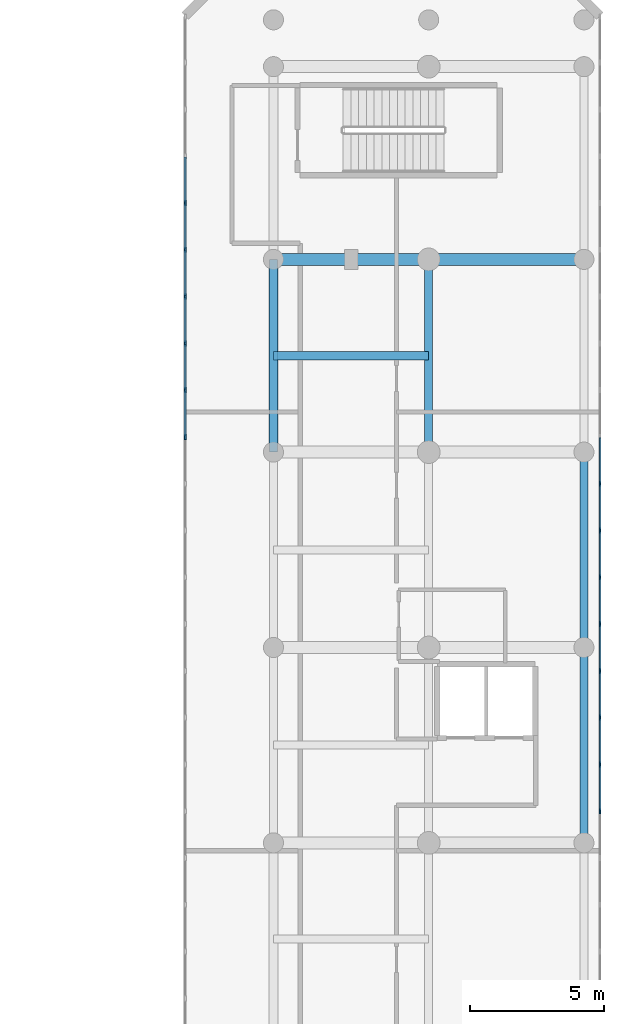
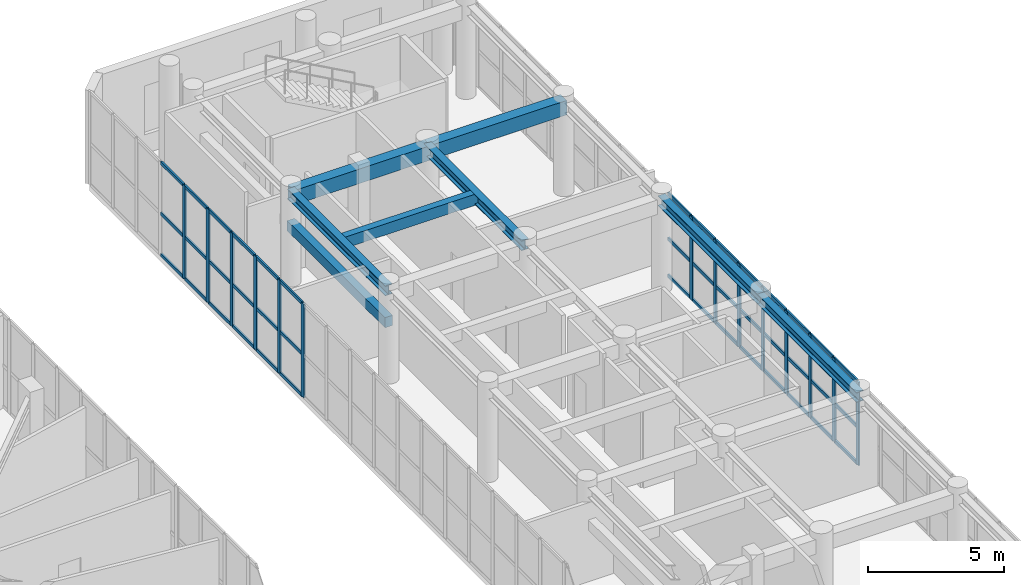
# One storey, part 8 of 26: 56 members, 8 beams, 2 elements without a shape of their own.
"""IFC4 building model written with IfcOpenShell, lengths in metres."""

from ifc_helpers import new_model, si_unit, direction, frame, origin, origin_with_axes, origin_2d, place, context, subcontext, project, spatial, rectangle, i_section, extrude, source, transform, mapped, material, layer, layer_set, material_profile, profile_set, type_object, element, aggregate, save


model = new_model("IFC4")

# Units and contexts
model_context = context("Model", 3, precision=1e-05, world=origin(), true_north=direction((0.0, 1.0)))
body_context = subcontext(model_context, "Body", "Model", "MODEL_VIEW")
ifc_project = project(units=[si_unit("LENGTHUNIT", "METRE"), si_unit("AREAUNIT", "SQUARE_METRE"), si_unit("VOLUMEUNIT", "CUBIC_METRE"), si_unit("PLANEANGLEUNIT", "RADIAN"), si_unit("MASSUNIT", "GRAM", prefix="KILO")], contexts=[model_context])

# Site, building, storey
site_placement = place(None, origin())
site = spatial("IfcSite", under=ifc_project, at=site_placement, CompositionType="ELEMENT")
building_placement = place(site_placement, origin())
building = spatial("IfcBuilding", under=site, at=building_placement, Name="Karkom Vertical University and Central Library", CompositionType="ELEMENT")
storey_placement = place(building_placement, frame((0.0, 0.0, 4.5)))
storey = spatial("IfcBuildingStorey", under=building, at=storey_placement, Name="L01", CompositionType="ELEMENT", Elevation=4.5)

# Beams
ifc_material_1 = material(Name="Concrete C40/50", Category="concrete")
ifc_material_profile_1 = material_profile(ifc_material_1, rectangle(XDim=0.449951171875, YDim=0.64990234375, at=origin_2d()), Name="RCB-450x650")
ifc_profile_set_1 = profile_set([ifc_material_profile_1], Name="Concrete C40/50")
beam_type_1 = type_object("IfcBeamType", Name="STR-BM-BG-4", PredefinedType="USERDEFINED", material=ifc_profile_set_1)
shared_shape_1 = source(origin_with_axes(), body_context, "Body", "SweptSolid", [
    extrude(rectangle(XDim=0.449951171875, YDim=0.64990234375, at=origin_2d()), origin(), (0.0, 0.0, 1.0), 5.7998046875),
])
beam_1_placement = place(storey_placement, frame((69.60009765625, 41.0, 3.875), z_axis=(1.0, 0.0, 0.0), x_axis=(0.0, 1.0, 0.0)))
element("IfcBeam", 1, at=beam_1_placement, inside=storey, type_object=beam_type_1, Name="Level 01 Library Transverse Girder 6.1", ObjectType="GIRDER", PredefinedType="USERDEFINED", context=body_context, shape_type="MappedRepresentation", body=[
    mapped(shared_shape_1, transform((0.0, 0.0, 0.0), scale=1.0)),
])
shared_shape_2 = source(origin_with_axes(), body_context, "Body", "SweptSolid", [
    extrude(rectangle(XDim=0.449951171875, YDim=0.64990234375, at=origin_2d()), origin(), (0.0, 0.0, 1.0), 5.800048828125),
])
beam_2_placement = place(storey_placement, frame((75.39990234375, 41.0, 3.875), z_axis=(1.0, 0.0, 0.0), x_axis=(0.0, 1.0, 0.0)))
element("IfcBeam", 2, at=beam_2_placement, inside=storey, type_object=beam_type_1, Name="Level 01 Library Transverse Girder 6.2", ObjectType="GIRDER", PredefinedType="USERDEFINED", context=body_context, shape_type="MappedRepresentation", body=[
    mapped(shared_shape_2, transform((0.0, 0.0, 0.0), scale=1.0)),
])
ifc_material_2 = material(Name="Steel S355", Category="steel")
ifc_material_profile_2 = material_profile(ifc_material_2, i_section(OverallWidth=0.300048828125, OverallDepth=0.449951171875, WebThickness=0.013916015625, FlangeThickness=0.02587890625, FilletRadius=0.027099609375, at=origin_2d()), Name="HE 450 B")
ifc_profile_set_2 = profile_set([ifc_material_profile_2], Name="Steel S355")
beam_type_2 = type_object("IfcBeamType", Name="STR-BM-SB-HE450", PredefinedType="BEAM", material=ifc_profile_set_2)
shared_shape_3 = source(origin_with_axes(), body_context, "Body", "SweptSolid", [
    extrude(i_section(OverallWidth=0.300048828125, OverallDepth=0.449951171875, WebThickness=0.013916015625, FlangeThickness=0.02587890625, FilletRadius=0.027099609375, at=origin_2d()), origin(), (0.0, 0.0, 1.0), 7.199951171875),
])
for number, where, z_axis, x_axis, name in (
    (3, (69.60009765625, 33.800048828125, 3.97509765625), (0.0, 1.0, 0.0), (-1.0, 0.0, 0.0), "Level 01 Library Longitudinal Beam 1.5"),
    (4, (75.39990234375, 33.800048828125, 3.97509765625), (0.0, 1.0, 0.0), (-1.0, 0.0, 0.0), "Level 01 Library Longitudinal Beam 2.5"),
):
    element("IfcBeam", number, at=place(storey_placement, frame(where, z_axis=z_axis, x_axis=x_axis)), inside=storey, type_object=beam_type_2, Name=name, PredefinedType="BEAM", context=body_context, shape_type="MappedRepresentation", body=[
        mapped(shared_shape_3, transform((0.0, 0.0, 0.0), scale=1.0)),
    ])
shared_shape_4 = source(origin_with_axes(), body_context, "Body", "SweptSolid", [
    extrude(i_section(OverallWidth=0.300048828125, OverallDepth=0.449951171875, WebThickness=0.013916015625, FlangeThickness=0.02587890625, FilletRadius=0.027099609375, at=origin_2d()), origin(), (0.0, 0.0, 1.0), 7.300048828125),
])
for number, where, z_axis, x_axis, name in (
    (5, (81.199951171875, 19.199951171875, 3.97509765625), (0.0, 1.0, 0.0), (-1.0, 0.0, 0.0), "Level 01 Library Longitudinal Beam 3.3"),
    (6, (81.199951171875, 26.5, 3.97509765625), (0.0, 1.0, 0.0), (-1.0, 0.0, 0.0), "Level 01 Library Longitudinal Beam 3.4"),
):
    element("IfcBeam", number, at=place(storey_placement, frame(where, z_axis=z_axis, x_axis=x_axis)), inside=storey, type_object=beam_type_2, Name=name, PredefinedType="BEAM", context=body_context, shape_type="MappedRepresentation", body=[
        mapped(shared_shape_4, transform((0.0, 0.0, 0.0), scale=1.0)),
    ])
ifc_material_profile_3 = material_profile(ifc_material_1, rectangle(XDim=0.300048828125, YDim=0.5, at=origin_2d()), Name="RCJ-300x500")
ifc_profile_set_3 = profile_set([ifc_material_profile_3], Name="Concrete C40/50")
beam_type_3 = type_object("IfcBeamType", Name="STR-BM-JS-1", PredefinedType="JOIST", material=ifc_profile_set_3)
shared_shape_5 = source(origin_with_axes(), body_context, "Body", "SweptSolid", [
    extrude(rectangle(XDim=0.300048828125, YDim=0.5, at=origin_2d()), origin(), (0.0, 0.0, 1.0), 5.7998046875),
])
beam_3_placement = place(storey_placement, frame((69.60009765625, 37.39990234375, 3.949951171875), z_axis=(1.0, 0.0, 0.0), x_axis=(0.0, 1.0, 0.0)))
element("IfcBeam", 7, at=beam_3_placement, inside=storey, type_object=beam_type_3, Name="Level 01 Library Reading Coffered Joist 5", PredefinedType="JOIST", context=body_context, shape_type="MappedRepresentation", body=[
    mapped(shared_shape_5, transform((0.0, 0.0, 0.0), scale=1.0)),
])
ifc_material_3 = material(Name="Precast concrete C45/55", Category="concrete")
ifc_material_profile_4 = material_profile(ifc_material_3, rectangle(XDim=0.320068359375, YDim=0.449951171875, at=origin_2d()), Name="RCL-320x450")
ifc_profile_set_4 = profile_set([ifc_material_profile_4], Name="Precast concrete C45/55")
beam_type_4 = type_object("IfcBeamType", Name="STR-BM-LN-1", PredefinedType="LINTEL", material=ifc_profile_set_4)
shared_shape_6 = source(origin_with_axes(), body_context, "Body", "SweptSolid", [
    extrude(rectangle(XDim=0.320068359375, YDim=0.449951171875, at=origin_2d()), origin(), (0.0, 0.0, 1.0), 7.199951171875),
])
beam_4_placement = place(storey_placement, frame((69.60009765625, 33.800048828125, 2.550048828125), z_axis=(0.0, 1.0, 0.0), x_axis=(-1.0, 0.0, 0.0)))
element("IfcBeam", 8, at=beam_4_placement, inside=storey, type_object=beam_type_4, Name="Level 01 Brutalist Concrete Portal Lintel 3", PredefinedType="LINTEL", context=body_context, shape_type="MappedRepresentation", body=[
    mapped(shared_shape_6, transform((0.0, 0.0, 0.0), scale=1.0)),
])

# Curtain wall, members
ifc_material_4 = material(Name="Aluminium curtain-wall framing and low-E IGU", Category="aluminium")
ifc_layer = layer(ifc_material_4, 0.199951171875)
ifc_layer_set = layer_set([ifc_layer], Name="Aluminium curtain-wall framing and low-E IGU")
curtain_wall_type = type_object("IfcCurtainWallType", Name="ENV-CW-1", PredefinedType="USERDEFINED", material=ifc_layer_set)
curtain_wall_1_placement = place(storey_placement, origin())
curtain_wall_1 = element("IfcCurtainWall", 9, at=curtain_wall_1_placement, inside=storey, type_object=curtain_wall_type, Name="Level 01 CW-1 Curtain Wall Level 01-CW-1-LIB-3", ObjectType="STICK MULLION GLAZING", PredefinedType="USERDEFINED")
ifc_material_5 = material(Name="Anodised Aluminium 6063-T6", Category="aluminium")
ifc_material_profile_5 = material_profile(ifc_material_5, rectangle(XDim=0.070068359375, YDim=0.199951171875, at=origin_2d()), Name="ALU-M70x200")
ifc_profile_set_5 = profile_set([ifc_material_profile_5], Name="Anodised Aluminium 6063-T6")
member_type_1 = type_object("IfcMemberType", Name="ENV-MEM-ALU-M70x200", PredefinedType="MULLION", material=ifc_profile_set_5)
shared_shape_7 = source(origin_with_axes(), body_context, "Body", "SweptSolid", [
    extrude(rectangle(XDim=0.070068359375, YDim=0.199951171875, at=origin_2d()), origin(), (0.0, 0.0, 1.0), 3.75),
])
member_1_placement = place(storey_placement, frame((81.800048828125, 20.381591796875, 0.0), z_axis=(0.0, 0.0, 1.0), x_axis=(-1.0, 0.0, 0.0)))
member_1 = element("IfcMember", 10, at=member_1_placement, type_object=member_type_1, Name="CW-1 mullion 11", PredefinedType="MULLION", context=body_context, shape_type="MappedRepresentation", body=[
    mapped(shared_shape_7, transform((0.0, 0.0, 0.0), scale=1.0)),
])
member_2_placement = place(storey_placement, frame((81.800048828125, 22.129638671875, 0.0), z_axis=(0.0, 0.0, 1.0), x_axis=(-1.0, 0.0, 0.0)))
member_2 = element("IfcMember", 11, at=member_2_placement, type_object=member_type_1, Name="CW-1 mullion 12", PredefinedType="MULLION", context=body_context, shape_type="MappedRepresentation", body=[
    mapped(shared_shape_7, transform((0.0, 0.0, 0.0), scale=1.0)),
])
member_3_placement = place(storey_placement, frame((81.800048828125, 23.877685546875, 0.0), z_axis=(0.0, 0.0, 1.0), x_axis=(-1.0, 0.0, 0.0)))
member_3 = element("IfcMember", 12, at=member_3_placement, type_object=member_type_1, Name="CW-1 mullion 13", PredefinedType="MULLION", context=body_context, shape_type="MappedRepresentation", body=[
    mapped(shared_shape_7, transform((0.0, 0.0, 0.0), scale=1.0)),
])
member_4_placement = place(storey_placement, frame((81.800048828125, 25.6259765625, 0.0), z_axis=(0.0, 0.0, 1.0), x_axis=(-1.0, 0.0, 0.0)))
member_4 = element("IfcMember", 13, at=member_4_placement, type_object=member_type_1, Name="CW-1 mullion 14", PredefinedType="MULLION", context=body_context, shape_type="MappedRepresentation", body=[
    mapped(shared_shape_7, transform((0.0, 0.0, 0.0), scale=1.0)),
])
member_5_placement = place(storey_placement, frame((81.800048828125, 27.3740234375, 0.0), z_axis=(0.0, 0.0, 1.0), x_axis=(-1.0, 0.0, 0.0)))
member_5 = element("IfcMember", 14, at=member_5_placement, type_object=member_type_1, Name="CW-1 mullion 15", PredefinedType="MULLION", context=body_context, shape_type="MappedRepresentation", body=[
    mapped(shared_shape_7, transform((0.0, 0.0, 0.0), scale=1.0)),
])
member_6_placement = place(storey_placement, frame((81.800048828125, 29.122314453125, 0.0), z_axis=(0.0, 0.0, 1.0), x_axis=(-1.0, 0.0, 0.0)))
member_6 = element("IfcMember", 15, at=member_6_placement, type_object=member_type_1, Name="CW-1 mullion 16", PredefinedType="MULLION", context=body_context, shape_type="MappedRepresentation", body=[
    mapped(shared_shape_7, transform((0.0, 0.0, 0.0), scale=1.0)),
])
member_7_placement = place(storey_placement, frame((81.800048828125, 30.870361328125, 0.0), z_axis=(0.0, 0.0, 1.0), x_axis=(-1.0, 0.0, 0.0)))
member_7 = element("IfcMember", 16, at=member_7_placement, type_object=member_type_1, Name="CW-1 mullion 17", PredefinedType="MULLION", context=body_context, shape_type="MappedRepresentation", body=[
    mapped(shared_shape_7, transform((0.0, 0.0, 0.0), scale=1.0)),
])
member_8_placement = place(storey_placement, frame((81.800048828125, 32.618408203125, 0.0), z_axis=(0.0, 0.0, 1.0), x_axis=(-1.0, 0.0, 0.0)))
member_8 = element("IfcMember", 17, at=member_8_placement, type_object=member_type_1, Name="CW-1 mullion 18", PredefinedType="MULLION", context=body_context, shape_type="MappedRepresentation", body=[
    mapped(shared_shape_7, transform((0.0, 0.0, 0.0), scale=1.0)),
])

curtain_wall_2_placement = place(storey_placement, origin())
curtain_wall_2 = element("IfcCurtainWall", 18, at=curtain_wall_2_placement, inside=storey, type_object=curtain_wall_type, Name="Level 01 CW-1 Curtain Wall Level 01-CW-1-LIB-7", ObjectType="STICK MULLION GLAZING", PredefinedType="USERDEFINED")
shared_shape_8 = source(origin_with_axes(), body_context, "Body", "SweptSolid", [
    extrude(rectangle(XDim=0.070068359375, YDim=0.199951171875, at=origin_2d()), origin(), (0.0, 0.0, 1.0), 4.199951171875),
])
member_9_placement = place(storey_placement, frame((66.300048828125, 43.107421875, 0.0), z_axis=(0.0, 0.0, 1.0), x_axis=(1.0, 0.0, 0.0)))
member_9 = element("IfcMember", 19, at=member_9_placement, type_object=member_type_1, Name="CW-1 mullion 5", PredefinedType="MULLION", context=body_context, shape_type="MappedRepresentation", body=[
    mapped(shared_shape_8, transform((0.0, 0.0, 0.0), scale=1.0)),
])
member_10_placement = place(storey_placement, frame((66.300048828125, 41.359375, 0.0), z_axis=(0.0, 0.0, 1.0), x_axis=(1.0, 0.0, 0.0)))
member_10 = element("IfcMember", 20, at=member_10_placement, type_object=member_type_1, Name="CW-1 mullion 6", PredefinedType="MULLION", context=body_context, shape_type="MappedRepresentation", body=[
    mapped(shared_shape_8, transform((0.0, 0.0, 0.0), scale=1.0)),
])
member_11_placement = place(storey_placement, frame((66.300048828125, 39.611083984375, 0.0), z_axis=(0.0, 0.0, 1.0), x_axis=(1.0, 0.0, 0.0)))
member_11 = element("IfcMember", 21, at=member_11_placement, type_object=member_type_1, Name="CW-1 mullion 7", PredefinedType="MULLION", context=body_context, shape_type="MappedRepresentation", body=[
    mapped(shared_shape_8, transform((0.0, 0.0, 0.0), scale=1.0)),
])
member_12_placement = place(storey_placement, frame((66.300048828125, 37.863037109375, 0.0), z_axis=(0.0, 0.0, 1.0), x_axis=(1.0, 0.0, 0.0)))
member_12 = element("IfcMember", 22, at=member_12_placement, type_object=member_type_1, Name="CW-1 mullion 8", PredefinedType="MULLION", context=body_context, shape_type="MappedRepresentation", body=[
    mapped(shared_shape_8, transform((0.0, 0.0, 0.0), scale=1.0)),
])
member_13_placement = place(storey_placement, frame((66.300048828125, 36.11474609375, 0.0), z_axis=(0.0, 0.0, 1.0), x_axis=(1.0, 0.0, 0.0)))
member_13 = element("IfcMember", 23, at=member_13_placement, type_object=member_type_1, Name="CW-1 mullion 9", PredefinedType="MULLION", context=body_context, shape_type="MappedRepresentation", body=[
    mapped(shared_shape_8, transform((0.0, 0.0, 0.0), scale=1.0)),
])
member_14_placement = place(storey_placement, frame((66.300048828125, 34.36669921875, 0.0), z_axis=(0.0, 0.0, 1.0), x_axis=(1.0, 0.0, 0.0)))
member_14 = element("IfcMember", 24, at=member_14_placement, type_object=member_type_1, Name="CW-1 mullion 10", PredefinedType="MULLION", context=body_context, shape_type="MappedRepresentation", body=[
    mapped(shared_shape_8, transform((0.0, 0.0, 0.0), scale=1.0)),
])

# Member
ifc_material_profile_6 = material_profile(ifc_material_5, rectangle(XDim=0.070068359375, YDim=0.14990234375, at=origin_2d()), Name="ALU-T70x150")
ifc_profile_set_6 = profile_set([ifc_material_profile_6], Name="Anodised Aluminium 6063-T6")
member_type_2 = type_object("IfcMemberType", Name="ENV-MEM-ALU-T70x150", PredefinedType="USERDEFINED", material=ifc_profile_set_6)
shared_shape_9 = source(origin_with_axes(), body_context, "Body", "SweptSolid", [
    extrude(rectangle(XDim=0.070068359375, YDim=0.14990234375, at=origin_2d()), origin(), (0.0, 0.0, 1.0), 1.67822265625),
])
member_15_placement = place(storey_placement, frame((81.800048828125, 20.41650390625, 0.034912109375), z_axis=(0.0, 1.0, 0.0), x_axis=(-1.0, 0.0, 0.0)))
member_15 = element("IfcMember", 25, at=member_15_placement, type_object=member_type_2, Name="CW-1 transom 11.1", ObjectType="TRANSOM", PredefinedType="USERDEFINED", context=body_context, shape_type="MappedRepresentation", body=[
    mapped(shared_shape_9, transform((0.0, 0.0, 0.0), scale=1.0)),
])

member_16_placement = place(storey_placement, frame((81.800048828125, 20.41650390625, 1.6875), z_axis=(0.0, 1.0, 0.0), x_axis=(-1.0, 0.0, 0.0)))
member_16 = element("IfcMember", 26, at=member_16_placement, type_object=member_type_2, Name="CW-1 transom 11.2", ObjectType="TRANSOM", PredefinedType="USERDEFINED", context=body_context, shape_type="MappedRepresentation", body=[
    mapped(shared_shape_9, transform((0.0, 0.0, 0.0), scale=1.0)),
])

member_17_placement = place(storey_placement, frame((81.800048828125, 20.41650390625, 3.715087890625), z_axis=(0.0, 1.0, 0.0), x_axis=(-1.0, 0.0, 0.0)))
member_17 = element("IfcMember", 27, at=member_17_placement, type_object=member_type_2, Name="CW-1 transom 11.3", ObjectType="TRANSOM", PredefinedType="USERDEFINED", context=body_context, shape_type="MappedRepresentation", body=[
    mapped(shared_shape_9, transform((0.0, 0.0, 0.0), scale=1.0)),
])

member_18_placement = place(storey_placement, frame((81.800048828125, 22.16455078125, 0.034912109375), z_axis=(0.0, 1.0, 0.0), x_axis=(-1.0, 0.0, 0.0)))
member_18 = element("IfcMember", 28, at=member_18_placement, type_object=member_type_2, Name="CW-1 transom 12.1", ObjectType="TRANSOM", PredefinedType="USERDEFINED", context=body_context, shape_type="MappedRepresentation", body=[
    mapped(shared_shape_9, transform((0.0, 0.0, 0.0), scale=1.0)),
])

member_19_placement = place(storey_placement, frame((81.800048828125, 22.16455078125, 1.6875), z_axis=(0.0, 1.0, 0.0), x_axis=(-1.0, 0.0, 0.0)))
member_19 = element("IfcMember", 29, at=member_19_placement, type_object=member_type_2, Name="CW-1 transom 12.2", ObjectType="TRANSOM", PredefinedType="USERDEFINED", context=body_context, shape_type="MappedRepresentation", body=[
    mapped(shared_shape_9, transform((0.0, 0.0, 0.0), scale=1.0)),
])

member_20_placement = place(storey_placement, frame((81.800048828125, 22.16455078125, 3.715087890625), z_axis=(0.0, 1.0, 0.0), x_axis=(-1.0, 0.0, 0.0)))
member_20 = element("IfcMember", 30, at=member_20_placement, type_object=member_type_2, Name="CW-1 transom 12.3", ObjectType="TRANSOM", PredefinedType="USERDEFINED", context=body_context, shape_type="MappedRepresentation", body=[
    mapped(shared_shape_9, transform((0.0, 0.0, 0.0), scale=1.0)),
])

member_21_placement = place(storey_placement, frame((81.800048828125, 25.660888671875, 0.034912109375), z_axis=(0.0, 1.0, 0.0), x_axis=(-1.0, 0.0, 0.0)))
member_21 = element("IfcMember", 31, at=member_21_placement, type_object=member_type_2, Name="CW-1 transom 14.1", ObjectType="TRANSOM", PredefinedType="USERDEFINED", context=body_context, shape_type="MappedRepresentation", body=[
    mapped(shared_shape_9, transform((0.0, 0.0, 0.0), scale=1.0)),
])

member_22_placement = place(storey_placement, frame((81.800048828125, 25.660888671875, 1.6875), z_axis=(0.0, 1.0, 0.0), x_axis=(-1.0, 0.0, 0.0)))
member_22 = element("IfcMember", 32, at=member_22_placement, type_object=member_type_2, Name="CW-1 transom 14.2", ObjectType="TRANSOM", PredefinedType="USERDEFINED", context=body_context, shape_type="MappedRepresentation", body=[
    mapped(shared_shape_9, transform((0.0, 0.0, 0.0), scale=1.0)),
])

member_23_placement = place(storey_placement, frame((81.800048828125, 25.660888671875, 3.715087890625), z_axis=(0.0, 1.0, 0.0), x_axis=(-1.0, 0.0, 0.0)))
member_23 = element("IfcMember", 33, at=member_23_placement, type_object=member_type_2, Name="CW-1 transom 14.3", ObjectType="TRANSOM", PredefinedType="USERDEFINED", context=body_context, shape_type="MappedRepresentation", body=[
    mapped(shared_shape_9, transform((0.0, 0.0, 0.0), scale=1.0)),
])

member_24_placement = place(storey_placement, frame((81.800048828125, 29.1572265625, 0.034912109375), z_axis=(0.0, 1.0, 0.0), x_axis=(-1.0, 0.0, 0.0)))
member_24 = element("IfcMember", 34, at=member_24_placement, type_object=member_type_2, Name="CW-1 transom 16.1", ObjectType="TRANSOM", PredefinedType="USERDEFINED", context=body_context, shape_type="MappedRepresentation", body=[
    mapped(shared_shape_9, transform((0.0, 0.0, 0.0), scale=1.0)),
])

member_25_placement = place(storey_placement, frame((81.800048828125, 29.1572265625, 1.6875), z_axis=(0.0, 1.0, 0.0), x_axis=(-1.0, 0.0, 0.0)))
member_25 = element("IfcMember", 35, at=member_25_placement, type_object=member_type_2, Name="CW-1 transom 16.2", ObjectType="TRANSOM", PredefinedType="USERDEFINED", context=body_context, shape_type="MappedRepresentation", body=[
    mapped(shared_shape_9, transform((0.0, 0.0, 0.0), scale=1.0)),
])

member_26_placement = place(storey_placement, frame((81.800048828125, 29.1572265625, 3.715087890625), z_axis=(0.0, 1.0, 0.0), x_axis=(-1.0, 0.0, 0.0)))
member_26 = element("IfcMember", 36, at=member_26_placement, type_object=member_type_2, Name="CW-1 transom 16.3", ObjectType="TRANSOM", PredefinedType="USERDEFINED", context=body_context, shape_type="MappedRepresentation", body=[
    mapped(shared_shape_9, transform((0.0, 0.0, 0.0), scale=1.0)),
])

member_27_placement = place(storey_placement, frame((81.800048828125, 30.9052734375, 0.034912109375), z_axis=(0.0, 1.0, 0.0), x_axis=(-1.0, 0.0, 0.0)))
member_27 = element("IfcMember", 37, at=member_27_placement, type_object=member_type_2, Name="CW-1 transom 17.1", ObjectType="TRANSOM", PredefinedType="USERDEFINED", context=body_context, shape_type="MappedRepresentation", body=[
    mapped(shared_shape_9, transform((0.0, 0.0, 0.0), scale=1.0)),
])

member_28_placement = place(storey_placement, frame((81.800048828125, 30.9052734375, 1.6875), z_axis=(0.0, 1.0, 0.0), x_axis=(-1.0, 0.0, 0.0)))
member_28 = element("IfcMember", 38, at=member_28_placement, type_object=member_type_2, Name="CW-1 transom 17.2", ObjectType="TRANSOM", PredefinedType="USERDEFINED", context=body_context, shape_type="MappedRepresentation", body=[
    mapped(shared_shape_9, transform((0.0, 0.0, 0.0), scale=1.0)),
])

member_29_placement = place(storey_placement, frame((81.800048828125, 30.9052734375, 3.715087890625), z_axis=(0.0, 1.0, 0.0), x_axis=(-1.0, 0.0, 0.0)))
member_29 = element("IfcMember", 39, at=member_29_placement, type_object=member_type_2, Name="CW-1 transom 17.3", ObjectType="TRANSOM", PredefinedType="USERDEFINED", context=body_context, shape_type="MappedRepresentation", body=[
    mapped(shared_shape_9, transform((0.0, 0.0, 0.0), scale=1.0)),
])

member_30_placement = place(storey_placement, frame((81.800048828125, 32.653564453125, 0.034912109375), z_axis=(0.0, 1.0, 0.0), x_axis=(-1.0, 0.0, 0.0)))
member_30 = element("IfcMember", 40, at=member_30_placement, type_object=member_type_2, Name="CW-1 transom 18.1", ObjectType="TRANSOM", PredefinedType="USERDEFINED", context=body_context, shape_type="MappedRepresentation", body=[
    mapped(shared_shape_9, transform((0.0, 0.0, 0.0), scale=1.0)),
])

member_31_placement = place(storey_placement, frame((81.800048828125, 32.653564453125, 1.6875), z_axis=(0.0, 1.0, 0.0), x_axis=(-1.0, 0.0, 0.0)))
member_31 = element("IfcMember", 41, at=member_31_placement, type_object=member_type_2, Name="CW-1 transom 18.2", ObjectType="TRANSOM", PredefinedType="USERDEFINED", context=body_context, shape_type="MappedRepresentation", body=[
    mapped(shared_shape_9, transform((0.0, 0.0, 0.0), scale=1.0)),
])

member_32_placement = place(storey_placement, frame((81.800048828125, 32.653564453125, 3.715087890625), z_axis=(0.0, 1.0, 0.0), x_axis=(-1.0, 0.0, 0.0)))
member_32 = element("IfcMember", 42, at=member_32_placement, type_object=member_type_2, Name="CW-1 transom 18.3", ObjectType="TRANSOM", PredefinedType="USERDEFINED", context=body_context, shape_type="MappedRepresentation", body=[
    mapped(shared_shape_9, transform((0.0, 0.0, 0.0), scale=1.0)),
])

member_33_placement = place(storey_placement, frame((66.300048828125, 44.820556640625, 0.034912109375), z_axis=(0.0, -1.0, 0.0), x_axis=(1.0, 0.0, 0.0)))
member_33 = element("IfcMember", 43, at=member_33_placement, type_object=member_type_2, Name="CW-1 transom 4.1", ObjectType="TRANSOM", PredefinedType="USERDEFINED", context=body_context, shape_type="MappedRepresentation", body=[
    mapped(shared_shape_9, transform((0.0, 0.0, 0.0), scale=1.0)),
])

member_34_placement = place(storey_placement, frame((66.300048828125, 44.820556640625, 1.889892578125), z_axis=(0.0, -1.0, 0.0), x_axis=(1.0, 0.0, 0.0)))
member_34 = element("IfcMember", 44, at=member_34_placement, type_object=member_type_2, Name="CW-1 transom 4.2", ObjectType="TRANSOM", PredefinedType="USERDEFINED", context=body_context, shape_type="MappedRepresentation", body=[
    mapped(shared_shape_9, transform((0.0, 0.0, 0.0), scale=1.0)),
])

member_35_placement = place(storey_placement, frame((66.300048828125, 44.820556640625, 4.1650390625), z_axis=(0.0, -1.0, 0.0), x_axis=(1.0, 0.0, 0.0)))
member_35 = element("IfcMember", 45, at=member_35_placement, type_object=member_type_2, Name="CW-1 transom 4.3", ObjectType="TRANSOM", PredefinedType="USERDEFINED", context=body_context, shape_type="MappedRepresentation", body=[
    mapped(shared_shape_9, transform((0.0, 0.0, 0.0), scale=1.0)),
])

member_36_placement = place(storey_placement, frame((66.300048828125, 43.072509765625, 0.034912109375), z_axis=(0.0, -1.0, 0.0), x_axis=(1.0, 0.0, 0.0)))
member_36 = element("IfcMember", 46, at=member_36_placement, type_object=member_type_2, Name="CW-1 transom 5.1", ObjectType="TRANSOM", PredefinedType="USERDEFINED", context=body_context, shape_type="MappedRepresentation", body=[
    mapped(shared_shape_9, transform((0.0, 0.0, 0.0), scale=1.0)),
])

member_37_placement = place(storey_placement, frame((66.300048828125, 43.072509765625, 1.889892578125), z_axis=(0.0, -1.0, 0.0), x_axis=(1.0, 0.0, 0.0)))
member_37 = element("IfcMember", 47, at=member_37_placement, type_object=member_type_2, Name="CW-1 transom 5.2", ObjectType="TRANSOM", PredefinedType="USERDEFINED", context=body_context, shape_type="MappedRepresentation", body=[
    mapped(shared_shape_9, transform((0.0, 0.0, 0.0), scale=1.0)),
])

member_38_placement = place(storey_placement, frame((66.300048828125, 43.072509765625, 4.1650390625), z_axis=(0.0, -1.0, 0.0), x_axis=(1.0, 0.0, 0.0)))
member_38 = element("IfcMember", 48, at=member_38_placement, type_object=member_type_2, Name="CW-1 transom 5.3", ObjectType="TRANSOM", PredefinedType="USERDEFINED", context=body_context, shape_type="MappedRepresentation", body=[
    mapped(shared_shape_9, transform((0.0, 0.0, 0.0), scale=1.0)),
])

member_39_placement = place(storey_placement, frame((66.300048828125, 41.32421875, 0.034912109375), z_axis=(0.0, -1.0, 0.0), x_axis=(1.0, 0.0, 0.0)))
member_39 = element("IfcMember", 49, at=member_39_placement, type_object=member_type_2, Name="CW-1 transom 6.1", ObjectType="TRANSOM", PredefinedType="USERDEFINED", context=body_context, shape_type="MappedRepresentation", body=[
    mapped(shared_shape_9, transform((0.0, 0.0, 0.0), scale=1.0)),
])

member_40_placement = place(storey_placement, frame((66.300048828125, 41.32421875, 1.889892578125), z_axis=(0.0, -1.0, 0.0), x_axis=(1.0, 0.0, 0.0)))
member_40 = element("IfcMember", 50, at=member_40_placement, type_object=member_type_2, Name="CW-1 transom 6.2", ObjectType="TRANSOM", PredefinedType="USERDEFINED", context=body_context, shape_type="MappedRepresentation", body=[
    mapped(shared_shape_9, transform((0.0, 0.0, 0.0), scale=1.0)),
])

member_41_placement = place(storey_placement, frame((66.300048828125, 41.32421875, 4.1650390625), z_axis=(0.0, -1.0, 0.0), x_axis=(1.0, 0.0, 0.0)))
member_41 = element("IfcMember", 51, at=member_41_placement, type_object=member_type_2, Name="CW-1 transom 6.3", ObjectType="TRANSOM", PredefinedType="USERDEFINED", context=body_context, shape_type="MappedRepresentation", body=[
    mapped(shared_shape_9, transform((0.0, 0.0, 0.0), scale=1.0)),
])

member_42_placement = place(storey_placement, frame((66.300048828125, 39.576171875, 0.034912109375), z_axis=(0.0, -1.0, 0.0), x_axis=(1.0, 0.0, 0.0)))
member_42 = element("IfcMember", 52, at=member_42_placement, type_object=member_type_2, Name="CW-1 transom 7.1", ObjectType="TRANSOM", PredefinedType="USERDEFINED", context=body_context, shape_type="MappedRepresentation", body=[
    mapped(shared_shape_9, transform((0.0, 0.0, 0.0), scale=1.0)),
])

member_43_placement = place(storey_placement, frame((66.300048828125, 39.576171875, 1.889892578125), z_axis=(0.0, -1.0, 0.0), x_axis=(1.0, 0.0, 0.0)))
member_43 = element("IfcMember", 53, at=member_43_placement, type_object=member_type_2, Name="CW-1 transom 7.2", ObjectType="TRANSOM", PredefinedType="USERDEFINED", context=body_context, shape_type="MappedRepresentation", body=[
    mapped(shared_shape_9, transform((0.0, 0.0, 0.0), scale=1.0)),
])

member_44_placement = place(storey_placement, frame((66.300048828125, 39.576171875, 4.1650390625), z_axis=(0.0, -1.0, 0.0), x_axis=(1.0, 0.0, 0.0)))
member_44 = element("IfcMember", 54, at=member_44_placement, type_object=member_type_2, Name="CW-1 transom 7.3", ObjectType="TRANSOM", PredefinedType="USERDEFINED", context=body_context, shape_type="MappedRepresentation", body=[
    mapped(shared_shape_9, transform((0.0, 0.0, 0.0), scale=1.0)),
])

member_45_placement = place(storey_placement, frame((66.300048828125, 36.079833984375, 0.034912109375), z_axis=(0.0, -1.0, 0.0), x_axis=(1.0, 0.0, 0.0)))
member_45 = element("IfcMember", 55, at=member_45_placement, type_object=member_type_2, Name="CW-1 transom 9.1", ObjectType="TRANSOM", PredefinedType="USERDEFINED", context=body_context, shape_type="MappedRepresentation", body=[
    mapped(shared_shape_9, transform((0.0, 0.0, 0.0), scale=1.0)),
])

member_46_placement = place(storey_placement, frame((66.300048828125, 36.079833984375, 1.889892578125), z_axis=(0.0, -1.0, 0.0), x_axis=(1.0, 0.0, 0.0)))
member_46 = element("IfcMember", 56, at=member_46_placement, type_object=member_type_2, Name="CW-1 transom 9.2", ObjectType="TRANSOM", PredefinedType="USERDEFINED", context=body_context, shape_type="MappedRepresentation", body=[
    mapped(shared_shape_9, transform((0.0, 0.0, 0.0), scale=1.0)),
])

member_47_placement = place(storey_placement, frame((66.300048828125, 36.079833984375, 4.1650390625), z_axis=(0.0, -1.0, 0.0), x_axis=(1.0, 0.0, 0.0)))
member_47 = element("IfcMember", 57, at=member_47_placement, type_object=member_type_2, Name="CW-1 transom 9.3", ObjectType="TRANSOM", PredefinedType="USERDEFINED", context=body_context, shape_type="MappedRepresentation", body=[
    mapped(shared_shape_9, transform((0.0, 0.0, 0.0), scale=1.0)),
])

shared_shape_10 = source(origin_with_axes(), body_context, "Body", "SweptSolid", [
    extrude(rectangle(XDim=0.070068359375, YDim=0.14990234375, at=origin_2d()), origin(), (0.0, 0.0, 1.0), 1.677978515625),
])
member_48_placement = place(storey_placement, frame((81.800048828125, 23.912841796875, 0.034912109375), z_axis=(0.0, 1.0, 0.0), x_axis=(-1.0, 0.0, 0.0)))
member_48 = element("IfcMember", 58, at=member_48_placement, type_object=member_type_2, Name="CW-1 transom 13.1", ObjectType="TRANSOM", PredefinedType="USERDEFINED", context=body_context, shape_type="MappedRepresentation", body=[
    mapped(shared_shape_10, transform((0.0, 0.0, 0.0), scale=1.0)),
])

member_49_placement = place(storey_placement, frame((81.800048828125, 23.912841796875, 1.6875), z_axis=(0.0, 1.0, 0.0), x_axis=(-1.0, 0.0, 0.0)))
member_49 = element("IfcMember", 59, at=member_49_placement, type_object=member_type_2, Name="CW-1 transom 13.2", ObjectType="TRANSOM", PredefinedType="USERDEFINED", context=body_context, shape_type="MappedRepresentation", body=[
    mapped(shared_shape_10, transform((0.0, 0.0, 0.0), scale=1.0)),
])

member_50_placement = place(storey_placement, frame((81.800048828125, 23.912841796875, 3.715087890625), z_axis=(0.0, 1.0, 0.0), x_axis=(-1.0, 0.0, 0.0)))
member_50 = element("IfcMember", 60, at=member_50_placement, type_object=member_type_2, Name="CW-1 transom 13.3", ObjectType="TRANSOM", PredefinedType="USERDEFINED", context=body_context, shape_type="MappedRepresentation", body=[
    mapped(shared_shape_10, transform((0.0, 0.0, 0.0), scale=1.0)),
])

member_51_placement = place(storey_placement, frame((81.800048828125, 27.4091796875, 0.034912109375), z_axis=(0.0, 1.0, 0.0), x_axis=(-1.0, 0.0, 0.0)))
member_51 = element("IfcMember", 61, at=member_51_placement, type_object=member_type_2, Name="CW-1 transom 15.1", ObjectType="TRANSOM", PredefinedType="USERDEFINED", context=body_context, shape_type="MappedRepresentation", body=[
    mapped(shared_shape_10, transform((0.0, 0.0, 0.0), scale=1.0)),
])

member_52_placement = place(storey_placement, frame((81.800048828125, 27.4091796875, 1.6875), z_axis=(0.0, 1.0, 0.0), x_axis=(-1.0, 0.0, 0.0)))
member_52 = element("IfcMember", 62, at=member_52_placement, type_object=member_type_2, Name="CW-1 transom 15.2", ObjectType="TRANSOM", PredefinedType="USERDEFINED", context=body_context, shape_type="MappedRepresentation", body=[
    mapped(shared_shape_10, transform((0.0, 0.0, 0.0), scale=1.0)),
])

member_53_placement = place(storey_placement, frame((81.800048828125, 27.4091796875, 3.715087890625), z_axis=(0.0, 1.0, 0.0), x_axis=(-1.0, 0.0, 0.0)))
member_53 = element("IfcMember", 63, at=member_53_placement, type_object=member_type_2, Name="CW-1 transom 15.3", ObjectType="TRANSOM", PredefinedType="USERDEFINED", context=body_context, shape_type="MappedRepresentation", body=[
    mapped(shared_shape_10, transform((0.0, 0.0, 0.0), scale=1.0)),
])

aggregate(curtain_wall_1, [member_1, member_2, member_3, member_4, member_5, member_6, member_7, member_8, member_15, member_16, member_17, member_18, member_19, member_20, member_48, member_49, member_50, member_21, member_22, member_23, member_51, member_52, member_53, member_24, member_25, member_26, member_27, member_28, member_29, member_30, member_31, member_32])

member_54_placement = place(storey_placement, frame((66.300048828125, 37.827880859375, 0.034912109375), z_axis=(0.0, -1.0, 0.0), x_axis=(1.0, 0.0, 0.0)))
member_54 = element("IfcMember", 64, at=member_54_placement, type_object=member_type_2, Name="CW-1 transom 8.1", ObjectType="TRANSOM", PredefinedType="USERDEFINED", context=body_context, shape_type="MappedRepresentation", body=[
    mapped(shared_shape_10, transform((0.0, 0.0, 0.0), scale=1.0)),
])

member_55_placement = place(storey_placement, frame((66.300048828125, 37.827880859375, 1.889892578125), z_axis=(0.0, -1.0, 0.0), x_axis=(1.0, 0.0, 0.0)))
member_55 = element("IfcMember", 65, at=member_55_placement, type_object=member_type_2, Name="CW-1 transom 8.2", ObjectType="TRANSOM", PredefinedType="USERDEFINED", context=body_context, shape_type="MappedRepresentation", body=[
    mapped(shared_shape_10, transform((0.0, 0.0, 0.0), scale=1.0)),
])

member_56_placement = place(storey_placement, frame((66.300048828125, 37.827880859375, 4.1650390625), z_axis=(0.0, -1.0, 0.0), x_axis=(1.0, 0.0, 0.0)))
member_56 = element("IfcMember", 66, at=member_56_placement, type_object=member_type_2, Name="CW-1 transom 8.3", ObjectType="TRANSOM", PredefinedType="USERDEFINED", context=body_context, shape_type="MappedRepresentation", body=[
    mapped(shared_shape_10, transform((0.0, 0.0, 0.0), scale=1.0)),
])

aggregate(curtain_wall_2, [member_9, member_10, member_11, member_12, member_13, member_14, member_33, member_34, member_35, member_36, member_37, member_38, member_39, member_40, member_41, member_42, member_43, member_44, member_54, member_55, member_56, member_45, member_46, member_47])

save(model, "model.ifc")
